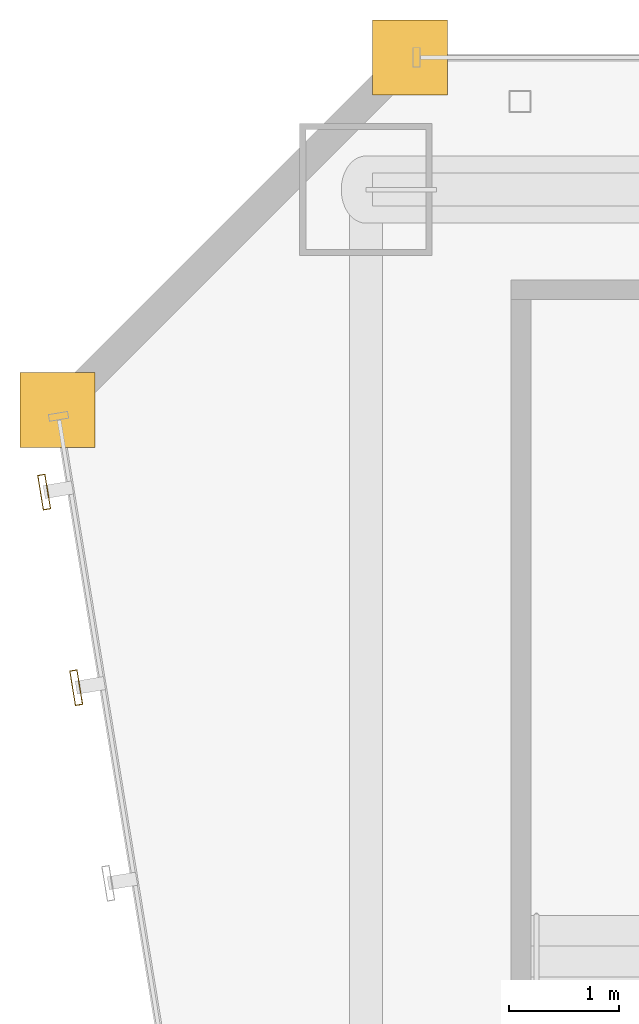
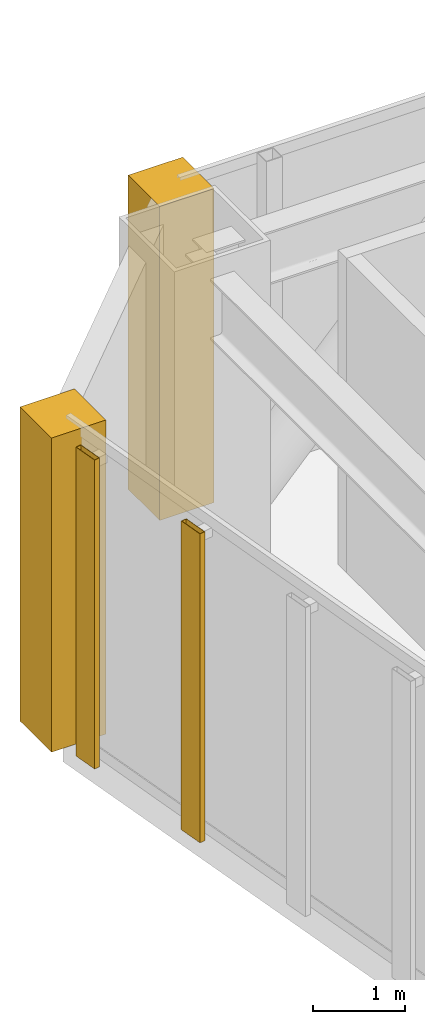
# One storey, part 48 of 49: 2 coverings, 2 shading devices.
"""IFC4 building model written with IfcOpenShell, lengths in metres."""

from ifc_helpers import new_model, si_unit, direction, frame, origin, origin_2d, place, context, subcontext, project, spatial, polyline, hollow_rectangle, outline, extrude, material, layer, layer_set, material_profile, profile_set, type_object, element, save


model = new_model("IFC4")

# Units and contexts
model_context = context("Model", 3, precision=1e-05, world=origin(), true_north=direction((0.0, 1.0)))
body_context = subcontext(model_context, "Body", "Model", "MODEL_VIEW")
ifc_project = project(units=[si_unit("LENGTHUNIT", "METRE"), si_unit("AREAUNIT", "SQUARE_METRE"), si_unit("VOLUMEUNIT", "CUBIC_METRE"), si_unit("PLANEANGLEUNIT", "RADIAN"), si_unit("MASSUNIT", "GRAM", prefix="KILO")], contexts=[model_context])

# Site, building, storey
site_placement = place(None, origin())
site = spatial("IfcSite", under=ifc_project, at=site_placement, CompositionType="ELEMENT")
building_placement = place(site_placement, origin())
building = spatial("IfcBuilding", under=site, at=building_placement, Name="Saevonmaru Cultural Tower", CompositionType="ELEMENT")
storey_placement = place(building_placement, frame((0.0, 0.0, 38.39990234375)))
storey = spatial("IfcBuildingStorey", under=building, at=storey_placement, Name="L07", CompositionType="ELEMENT", Elevation=38.39990234375)

# Coverings
ifc_material = material(Name="Satin Bronze Anodised Aluminium", Category="aluminium")
ifc_layer = layer(ifc_material, 0.679931640625, Name="Satin Bronze Anodised Aluminium")
ifc_layer_set = layer_set([ifc_layer], Name="Satin Bronze Anodised Aluminium")
covering_type = type_object("IfcCoveringType", Name="CV-CORNER-CLAD", PredefinedType="CLADDING", material=ifc_layer_set)
covering_1_placement = place(storey_placement, origin())
element("IfcCovering", 1, at=covering_1_placement, inside=storey, type_object=covering_type, Name="L07 Tower Bronze Corner Cladding Pier 11", PredefinedType="CLADDING", context=body_context, shape_type="SweptSolid", body=[
    extrude(outline(polyline([(6.860107421875, 55.659912109375), (7.5400390625, 55.659912109375), (7.5400390625, 56.340087890625), (6.860107421875, 56.340087890625), (6.860107421875, 55.659912109375)])), origin(), (0.0, 0.0, 1.0), 4.150146484375),
])
covering_2_placement = place(storey_placement, origin())
element("IfcCovering", 2, at=covering_2_placement, inside=storey, type_object=covering_type, Name="L07 Tower Bronze Corner Cladding Pier 12", PredefinedType="CLADDING", context=body_context, shape_type="SweptSolid", body=[
    extrude(outline(polyline([(3.659912109375, 52.4599609375), (4.340087890625, 52.4599609375), (4.340087890625, 53.139892578125), (3.659912109375, 53.139892578125), (3.659912109375, 52.4599609375)])), origin(), (0.0, 0.0, 1.0), 4.150146484375),
])

# Shading devices
ifc_material_profile = material_profile(ifc_material, hollow_rectangle(XDim=0.070068359375, YDim=0.320068359375, WallThickness=0.0048828125, at=origin_2d()), Name="FIN-320x70")
ifc_profile_set = profile_set([ifc_material_profile], Name="Satin Bronze Anodised Aluminium")
shading_device_type = type_object("IfcShadingDeviceType", Name="SHD-FIN-320", PredefinedType="JALOUSIE", material=ifc_profile_set)
for number, where, z_axis, x_axis, name in (
    (3, (3.879150390625, 52.05322265625, 0.050048828125), (0.0, 0.0, 1.0), (-0.986827496189, -0.161776057456, 0.0), "L07 Art Deco Sawtooth Bronze Fin E12-01"),
    (4, (4.170166015625, 50.27685546875, 0.050048828125), (0.0, 0.0, 1.0), (-0.986827496189, -0.161776057456, 0.0), "L07 Art Deco Sawtooth Bronze Fin E12-02"),
):
    element("IfcShadingDevice", number, at=place(storey_placement, frame(where, z_axis=z_axis, x_axis=x_axis)), inside=storey, type_object=shading_device_type, Name=name, PredefinedType="JALOUSIE", context=body_context, shape_type="SweptSolid", body=[
        extrude(hollow_rectangle(XDim=0.070068359375, YDim=0.320068359375, WallThickness=0.0048828125, at=origin_2d()), origin(), (0.0, 0.0, 1.0), 4.080078125),
    ])

save(model, "model.ifc")
